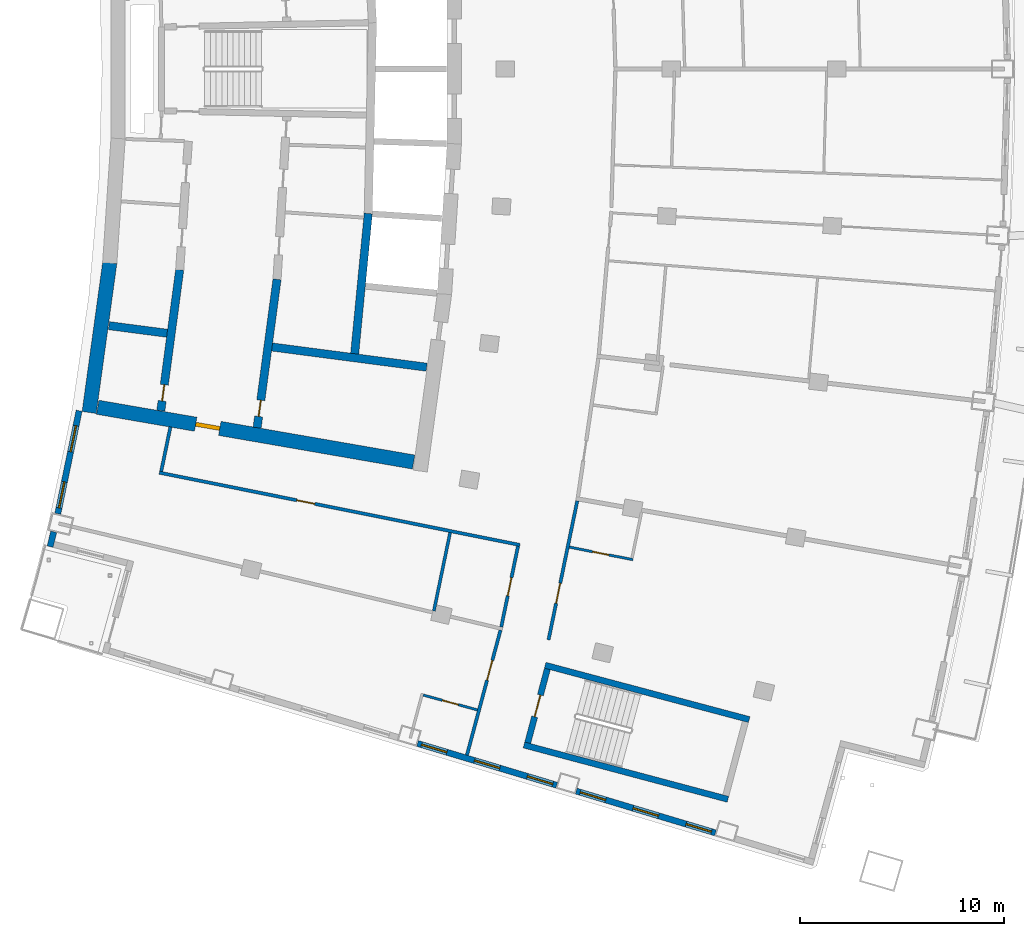
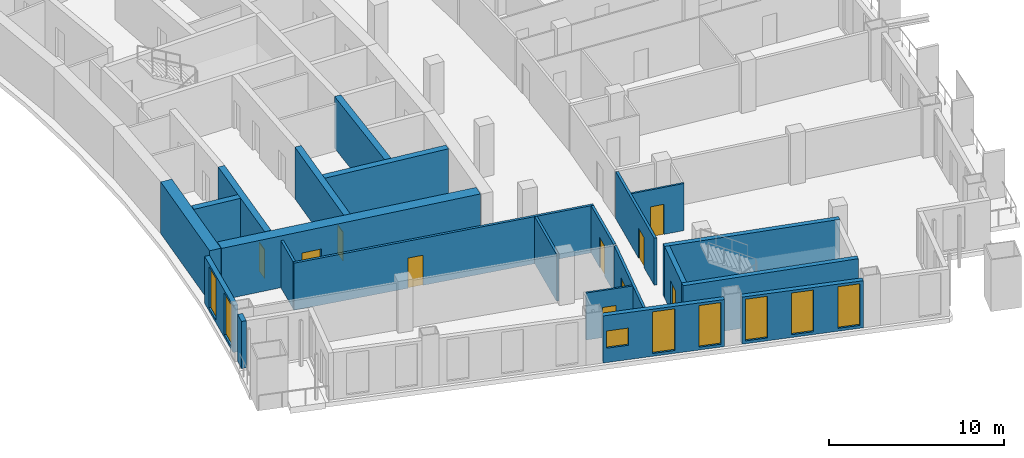
# One storey, part 11 of 20: 22 walls, 10 doors, 8 windows, 18 openings.
"""IFC4 building model written with IfcOpenShell, lengths in metres."""

import ifcopenshell
import ifcopenshell.guid

model = None  # the IFC model being written
_history = None  # IfcOwnerHistory: only IFC2X3 demands one
_inside = {}  # id of a spatial element -> (the spatial element, [elements in it])
_under = {}  # id of a project, library or spatial element -> (it, [spatial elements below it])
_declared = {}  # id of a project -> (the project, [libraries it declares])
_typed = {}  # id of a type object -> (the type object, [elements of that type])
_made_of = {}  # id of a material, layer set ... -> (it, [elements and type objects made of it])


def new_model(schema):
    """Start an empty IFC model of exactly this schema.

    Asked for "IFC4X3", IfcOpenShell would pick the latest addendum, in which some entities
    have other attributes; the version numbers below select the first issue.
    IFC2X3 requires an IfcOwnerHistory on every rooted entity: one is made here for all.
    """
    global model, _history
    if schema == "IFC4X3":
        model = ifcopenshell.file(schema_version=(4, 3, 0, 0))
    else:
        model = ifcopenshell.file(schema=schema)
    _inside.clear()
    _under.clear()
    _declared.clear()
    _typed.clear()
    _made_of.clear()
    _history = None
    if model.schema == "IFC2X3":
        org = make("IfcOrganization", Name="unknown")
        user = make(
            "IfcPersonAndOrganization",
            ThePerson=make("IfcPerson", FamilyName="unknown"),
            TheOrganization=org,
        )
        app = make(
            "IfcApplication",
            ApplicationDeveloper=org,
            Version="unknown",
            ApplicationFullName="unknown",
            ApplicationIdentifier="unknown",
        )
        _history = make(
            "IfcOwnerHistory",
            OwningUser=user,
            OwningApplication=app,
            ChangeAction="ADDED",
            CreationDate=0,
        )
    return model


def make(cls, **values):
    """One entity of the class cls with the attributes given. An attribute that is None is left unset."""
    return model.create_entity(
        cls, **{name: value for name, value in values.items() if value is not None}
    )


def rooted(cls, **values):
    """An entity with a GlobalId (a new one), such as an element, a storey or a relation."""
    return make(cls, GlobalId=ifcopenshell.guid.new(), OwnerHistory=_history, **values)


def si_unit(unit_type, name, prefix=None):
    """IfcSIUnit, for example si_unit("LENGTHUNIT", "METRE", prefix="MILLI")."""
    return make("IfcSIUnit", UnitType=unit_type, Prefix=prefix, Name=name)


def assignment(units):
    """IfcUnitAssignment: the units of a project."""
    return None if units is None else make("IfcUnitAssignment", Units=units)


def point(xyz):
    """IfcCartesianPoint."""
    return None if xyz is None else make("IfcCartesianPoint", Coordinates=xyz)


def direction(xyz):
    """IfcDirection."""
    return None if xyz is None else make("IfcDirection", DirectionRatios=xyz)


def frame(location, z_axis=None, x_axis=None):
    """IfcAxis2Placement3D, a coordinate frame: its origin and axes. An axis left out is left unset."""
    return make(
        "IfcAxis2Placement3D",
        Location=point(location),
        Axis=direction(z_axis),
        RefDirection=direction(x_axis),
    )


def frame_2d(location, x_axis=None):
    """IfcAxis2Placement2D, a coordinate frame in the plane: its origin and x axis."""
    return make(
        "IfcAxis2Placement2D", Location=point(location), RefDirection=direction(x_axis)
    )


def origin():
    """The frame at (0, 0, 0) with its axes left unset."""
    return frame((0.0, 0.0, 0.0))


def place(relative_to, where):
    """IfcLocalPlacement: puts the frame where relative to a parent placement (None: the world)."""
    return make(
        "IfcLocalPlacement", PlacementRelTo=relative_to, RelativePlacement=where
    )


def context(
    kind, dimensions, precision=None, world=None, true_north=None, identifier=None
):
    """IfcGeometricRepresentationContext, for example the 3D "Model" context."""
    return make(
        "IfcGeometricRepresentationContext",
        ContextIdentifier=identifier,
        ContextType=kind,
        CoordinateSpaceDimension=dimensions,
        Precision=precision,
        WorldCoordinateSystem=world,
        TrueNorth=true_north,
    )


def subcontext(parent, identifier, kind, view, scale=None):
    """IfcGeometricRepresentationSubContext, for example "Body" below "Model"."""
    return make(
        "IfcGeometricRepresentationSubContext",
        ContextIdentifier=identifier,
        ContextType=kind,
        ParentContext=parent,
        TargetScale=scale,
        TargetView=view,
    )


def project(units=None, contexts=None):
    """IfcProject with its units and contexts."""
    return rooted(
        "IfcProject",
        Name="project",
        RepresentationContexts=contexts,
        UnitsInContext=assignment(units),
    )


def spatial(cls, under=None, at=None, **own):
    """A site, building, storey or space (cls), placed at a placement, below another one or the project."""
    s = rooted(cls, ObjectPlacement=at, **own)
    if under is not None:
        _under.setdefault(under.id(), (under, []))[1].append(s)
    return s


def profile(cls, at=None, kind="AREA", **sizes):
    """A parametric profile (cls). Its sizes go by their IFC names, for example OverallWidth=200.0."""
    return make(cls, ProfileType=kind, Position=at, **sizes)


def rectangle(**sizes):
    """IfcRectangleProfileDef."""
    return profile("IfcRectangleProfileDef", **sizes)


def extrude(swept, where, along, depth):
    """IfcExtrudedAreaSolid: the profile swept, set in the frame where, extruded along a direction by depth."""
    return make(
        "IfcExtrudedAreaSolid",
        SweptArea=swept,
        Position=where,
        ExtrudedDirection=direction(along),
        Depth=depth,
    )


def shape(context_of_items, identifier, shape_type, items):
    """IfcShapeRepresentation: the items that make up one representation, for example the "Body"."""
    return make(
        "IfcShapeRepresentation",
        ContextOfItems=context_of_items,
        RepresentationIdentifier=identifier,
        RepresentationType=shape_type,
        Items=items,
    )


def material(Name=None, Category=None):
    """IfcMaterial."""
    return make("IfcMaterial", Name=Name, Category=Category)


def layer(
    of_material, thickness, ventilated=None, Name=None, Category=None, Priority=None
):
    """IfcMaterialLayer: one layer of a wall or slab, of a material (None: an air gap)."""
    return make(
        "IfcMaterialLayer",
        Material=of_material,
        LayerThickness=thickness,
        IsVentilated=ventilated,
        Name=Name,
        Category=Category,
        Priority=Priority,
    )


def layer_set(layers, Name=None):
    """IfcMaterialLayerSet."""
    return make("IfcMaterialLayerSet", MaterialLayers=layers, LayerSetName=Name)


def made_of(thing, what):
    """Note that an element or type object is made of a material, layer set ...; save() writes the relation."""
    if what is not None:
        _made_of.setdefault(what.id(), (what, []))[1].append(thing)
    return thing


def type_object(cls, material=None, **own):
    """A type object (cls), such as IfcWallType, which elements share."""
    return made_of(rooted(cls, **own), material)


def element(
    cls,
    number,
    at=None,
    inside=None,
    cuts=None,
    type_object=None,
    material=None,
    context=None,
    identifier="Body",
    shape_type=None,
    held_by="IfcProductDefinitionShape",
    body=None,
    shapes=None,
    **own,
):
    """One element of the class cls, such as IfcWall. Its Tag is "e" and its number.

    at: its placement. inside: the storey or other place that contains it. cuts: it is an
    opening in that element (IfcRelVoidsElement). A single representation is given by context,
    identifier, shape_type and body (its items); several are given by shapes. held_by: the class
    of the entity that holds the representations. save() writes the other relations.
    """
    e = rooted(cls, Tag="e%d" % number, ObjectPlacement=at, **own)
    if body is not None:
        shapes = [shape(context, identifier, shape_type, body)]
    if shapes is not None:
        e.Representation = make(held_by, Representations=shapes)
    if inside is not None:
        _inside.setdefault(inside.id(), (inside, []))[1].append(e)
    if cuts is not None:
        rooted(
            "IfcRelVoidsElement", RelatingBuildingElement=cuts, RelatedOpeningElement=e
        )
    if type_object is not None:
        _typed.setdefault(type_object.id(), (type_object, []))[1].append(e)
    return made_of(e, material)


def fill(opening, filler):
    """IfcRelFillsElement: the door or window that sits in an opening."""
    return rooted(
        "IfcRelFillsElement",
        RelatingOpeningElement=opening,
        RelatedBuildingElement=filler,
    )


def aggregate(whole, parts):
    """IfcRelAggregates: a whole, such as a stair, and the parts it consists of."""
    return rooted("IfcRelAggregates", RelatingObject=whole, RelatedObjects=parts)


def save(model, path):
    """Write the relations noted so far, then the file.

    IfcRelAggregates (storeys below a building ...), IfcRelContainedInSpatialStructure (elements
    in a storey), IfcRelDefinesByType, IfcRelAssociatesMaterial and IfcRelDeclares: one each for
    every whole, place, type object, material and project.
    """
    for whole, parts in _under.values():
        aggregate(whole, parts)
    for where, things in _inside.values():
        rooted(
            "IfcRelContainedInSpatialStructure",
            RelatedElements=things,
            RelatingStructure=where,
        )
    for kind, things in _typed.values():
        rooted("IfcRelDefinesByType", RelatedObjects=things, RelatingType=kind)
    for what, things in _made_of.values():
        rooted("IfcRelAssociatesMaterial", RelatedObjects=things, RelatingMaterial=what)
    for by, libraries in _declared.values():
        rooted("IfcRelDeclares", RelatingContext=by, RelatedDefinitions=libraries)
    model.write(path)


model = new_model("IFC4")

# Units and contexts
model_context = context("Model", 3, precision=1e-05, world=origin(), true_north=direction((0.0, 1.0)))
body_context = subcontext(model_context, "Body", "Model", "MODEL_VIEW")
ifc_project = project(units=[si_unit("LENGTHUNIT", "METRE"), si_unit("AREAUNIT", "SQUARE_METRE"), si_unit("VOLUMEUNIT", "CUBIC_METRE"), si_unit("PLANEANGLEUNIT", "RADIAN"), si_unit("MASSUNIT", "GRAM", prefix="KILO")], contexts=[model_context])

# Site, building, storey
site_placement = place(None, origin())
site = spatial("IfcSite", under=ifc_project, at=site_placement, CompositionType="ELEMENT")
building_placement = place(site_placement, origin())
building = spatial("IfcBuilding", under=site, at=building_placement, Name="Alderwake Tower", CompositionType="ELEMENT")
storey_placement = place(building_placement, frame((0.0, 0.0, 142.39990234375)))
storey = spatial("IfcBuildingStorey", under=building, at=storey_placement, Name="L34", CompositionType="ELEMENT", Elevation=142.39990234375)

# Wall
ifc_material_1 = material(Name="Concrete C70/85", Category="concrete")
ifc_layer_1 = layer(ifc_material_1, 0.699951171875)
ifc_layer_set_1 = layer_set([ifc_layer_1], Name="Core wall outer 700 C70-85")
wall_type_1 = type_object("IfcWallType", Name="Core wall outer 700 C70-85", PredefinedType="SHEAR", material=ifc_layer_set_1)
wall_1_placement = place(storey_placement, frame((15.370849609375, 44.1376953125, 0.0), z_axis=(0.0, 0.0, 1.0), x_axis=(0.136315619812, 0.99066545907, 0.0)))
element("IfcWall", 1, at=wall_1_placement, inside=storey, type_object=wall_type_1, Name="Core wall CW.042", PredefinedType="SHEAR", context=body_context, shape_type="SweptSolid", body=[
    extrude(rectangle(XDim=7.420166015625, YDim=0.699951171875, at=frame_2d((3.7099609375, 0.0))), origin(), (0.0, 0.0, 1.0), 3.60009765625),
])

# Wall, opening, door
wall_2_placement = place(storey_placement, frame((31.295654296875, 41.705810546875, 0.0), z_axis=(0.0, 0.0, 1.0), x_axis=(-0.985302589944, 0.170818050129, 0.0)))
wall_2 = element("IfcWall", 2, at=wall_2_placement, inside=storey, type_object=wall_type_1, Name="Core wall CW.072", PredefinedType="SHEAR", context=body_context, shape_type="SweptSolid", body=[
    extrude(rectangle(XDim=15.7373046875, YDim=0.699951171875, at=frame_2d((7.86865234375, 0.0))), origin(), (0.0, 0.0, 1.0), 3.60009765625),
])
opening_1_placement = place(wall_2_placement, frame((9.65576171875, 0.0, 0.0)))
opening_1 = element("IfcOpeningElement", 3, at=opening_1_placement, cuts=wall_2, Name="Opening C003", PredefinedType="OPENING", context=body_context, shape_type="SweptSolid", body=[
    extrude(rectangle(XDim=1.199951171875, YDim=2.10009765625, at=frame_2d((0.60009765625, 1.050048828125))), frame((0.0, 0.35986328125, 0.0), z_axis=(0.0, -1.0, 0.0), x_axis=(1.0, 0.0, 0.0)), (0.0, 0.0, 1.0), 0.719970703125),
])
ifc_material_2 = material(Name="Steel-framed fire door leaf", Category="steel")
door_type_1 = type_object("IfcDoorType", Name="Core lobby exit door 1200 fire-rated", OperationType="SINGLE_SWING_LEFT", PredefinedType="DOOR", material=ifc_material_2)
door_1_placement = place(opening_1_placement, origin())
door_1 = element("IfcDoor", 4, at=door_1_placement, inside=storey, type_object=door_type_1, Name="Lobby door", OperationType="SINGLE_SWING_LEFT", OverallHeight=2.10009765625, OverallWidth=1.199951171875, PredefinedType="DOOR", context=body_context, shape_type="SweptSolid", body=[
    extrude(rectangle(XDim=1.199951171875, YDim=2.10009765625, at=frame_2d((0.60009765625, 1.050048828125))), frame((0.0, 0.10009765625, 0.0), z_axis=(0.0, -1.0, 0.0), x_axis=(1.0, 0.0, 0.0)), (0.0, 0.0, 1.0), 0.199951171875),
])
fill(opening_1, door_1)

ifc_material_3 = material(Name="Concrete C70/85", Category="concrete")
ifc_layer_2 = layer(ifc_material_3, 0.39990234375)
ifc_layer_set_2 = layer_set([ifc_layer_2], Name="Core wall spine 400 C70-85")
wall_type_2 = type_object("IfcWallType", Name="Core wall spine 400 C70-85", PredefinedType="SHEAR", material=ifc_layer_set_2)
wall_3_placement = place(storey_placement, frame((19.814697265625, 51.143798828125, 0.0), z_axis=(0.0, 0.0, 1.0), x_axis=(-0.132864871698, -0.991134161387, 0.0)))
wall_3 = element("IfcWall", 5, at=wall_3_placement, inside=storey, type_object=wall_type_2, Name="Core wall CW.033", PredefinedType="SHEAR", context=body_context, shape_type="SweptSolid", body=[
    extrude(rectangle(XDim=6.978759765625, YDim=0.39990234375, at=frame_2d((3.4892578125, 0.0))), origin(), (0.0, 0.0, 1.0), 3.60009765625),
])
opening_2_placement = place(wall_3_placement, frame((5.69677734375, 0.0, 0.0)))
opening_2 = element("IfcOpeningElement", 6, at=opening_2_placement, cuts=wall_3, Name="Opening C007", PredefinedType="OPENING", context=body_context, shape_type="SweptSolid", body=[
    extrude(rectangle(XDim=0.800048828125, YDim=2.0, at=frame_2d((0.39990234375, 1.0))), frame((0.0, 0.2099609375, 0.0), z_axis=(0.0, -1.0, 0.0), x_axis=(1.0, 0.0, 0.0)), (0.0, 0.0, 1.0), 0.419921875),
])
ifc_material_4 = material(Name="Painted steel leaf, rated", Category="steel")
door_type_2 = type_object("IfcDoorType", Name="Riser access door 800", OperationType="SINGLE_SWING_LEFT", PredefinedType="DOOR", material=ifc_material_4)
door_2_placement = place(opening_2_placement, origin())
door_2 = element("IfcDoor", 7, at=door_2_placement, inside=storey, type_object=door_type_2, Name="Riser access door", OperationType="SINGLE_SWING_LEFT", OverallHeight=2.0, OverallWidth=0.800048828125, PredefinedType="DOOR", context=body_context, shape_type="SweptSolid", body=[
    extrude(rectangle(XDim=0.800048828125, YDim=2.0, at=frame_2d((0.39990234375, 1.0))), frame((0.0, 0.02490234375, 0.0), z_axis=(0.0, -1.0, 0.0), x_axis=(1.0, 0.0, 0.0)), (0.0, 0.0, 1.0), 0.050048828125),
])
fill(opening_2, door_2)

wall_4_placement = place(storey_placement, frame((23.6142578125, 43.390869140625, 0.0), z_axis=(0.0, 0.0, 1.0), x_axis=(0.133023466616, 0.991112888287, 0.0)))
wall_4 = element("IfcWall", 8, at=wall_4_placement, inside=storey, type_object=wall_type_2, Name="Core wall CW.047", PredefinedType="SHEAR", context=body_context, shape_type="SweptSolid", body=[
    extrude(rectangle(XDim=7.3466796875, YDim=0.39990234375, at=frame_2d((3.67333984375, 0.0))), origin(), (0.0, 0.0, 1.0), 3.60009765625),
])
opening_3_placement = place(wall_4_placement, frame((0.557861328125, 0.0, 0.0)))
opening_3 = element("IfcOpeningElement", 9, at=opening_3_placement, cuts=wall_4, Name="Opening C014", PredefinedType="OPENING", context=body_context, shape_type="SweptSolid", body=[
    extrude(rectangle(XDim=0.800048828125, YDim=2.0, at=frame_2d((0.39990234375, 1.0))), frame((0.0, 0.2099609375, 0.0), z_axis=(0.0, -1.0, 0.0), x_axis=(1.0, 0.0, 0.0)), (0.0, 0.0, 1.0), 0.419921875),
])
door_3_placement = place(opening_3_placement, origin())
door_3 = element("IfcDoor", 10, at=door_3_placement, inside=storey, type_object=door_type_2, Name="Riser access door", OperationType="SINGLE_SWING_RIGHT", OverallHeight=2.0, OverallWidth=0.800048828125, PredefinedType="DOOR", context=body_context, shape_type="SweptSolid", body=[
    extrude(rectangle(XDim=0.800048828125, YDim=2.0, at=frame_2d((0.39990234375, 1.0))), frame((0.0, 0.02490234375, 0.0), z_axis=(0.0, -1.0, 0.0), x_axis=(1.0, 0.0, 0.0)), (0.0, 0.0, 1.0), 0.050048828125),
])
fill(opening_3, door_3)

# Walls
wall_5_placement = place(storey_placement, frame((28.402587890625, 47.0234375, 0.0), z_axis=(0.0, 0.0, 1.0), x_axis=(0.096500230077, 0.995332962177, 0.0)))
element("IfcWall", 11, at=wall_5_placement, inside=storey, type_object=wall_type_2, Name="Core wall CW.005", PredefinedType="SHEAR", context=body_context, shape_type="SweptSolid", body=[
    extrude(rectangle(XDim=6.914306640625, YDim=0.39990234375, at=frame_2d((3.45703125, 0.0))), origin(), (0.0, 0.0, 1.0), 3.60009765625),
])
wall_6_placement = place(storey_placement, frame((16.3408203125, 48.3994140625, 0.0), z_axis=(0.0, 0.0, 1.0), x_axis=(0.991544987266, -0.129763393253, 0.0)))
element("IfcWall", 12, at=wall_6_placement, inside=storey, type_object=wall_type_2, Name="Core wall CW.067", PredefinedType="SHEAR", context=body_context, shape_type="SweptSolid", body=[
    extrude(rectangle(XDim=2.878662109375, YDim=0.39990234375, at=frame_2d((1.439453125, 0.0))), origin(), (0.0, 0.0, 1.0), 3.60009765625),
])
wall_7_placement = place(storey_placement, frame((24.347900390625, 47.35205078125, 0.0), z_axis=(0.0, 0.0, 1.0), x_axis=(0.991554795689, -0.129688423329, 0.0)))
element("IfcWall", 13, at=wall_7_placement, inside=storey, type_object=wall_type_2, Name="Core wall CW.069", PredefinedType="SHEAR", context=body_context, shape_type="SweptSolid", body=[
    extrude(rectangle(XDim=7.650634765625, YDim=0.39990234375, at=frame_2d((3.8251953125, 0.0))), origin(), (0.0, 0.0, 1.0), 3.60009765625),
])
ifc_material_5 = material(Name="Concrete C70/85", Category="concrete")
ifc_layer_3 = layer(ifc_material_5, 0.300048828125)
ifc_layer_set_3 = layer_set([ifc_layer_3], Name="Core wall stair enclosure 300 C70-85")
wall_type_3 = type_object("IfcWallType", Name="Core wall stair enclosure 300 C70-85", PredefinedType="SHEAR", material=ifc_layer_set_3)
for number, where, z_axis, x_axis, name in (
    (14, (37.75390625, 31.731201171875, 0.0), (0.0, 0.0, 1.0), (0.966309214305, -0.257383958996, 0.0), "Core wall CW.086"),
    (15, (36.71142578125, 27.817626953125, 0.0), (0.0, 0.0, 1.0), (0.966309214305, -0.257383958996, 0.0), "Core wall CW.088"),
):
    element("IfcWall", number, at=place(storey_placement, frame(where, z_axis=z_axis, x_axis=x_axis)), inside=storey, type_object=wall_type_3, Name=name, PredefinedType="SHEAR", context=body_context, shape_type="SweptSolid", body=[
        extrude(rectangle(XDim=10.360107421875, YDim=0.300048828125, at=frame_2d((5.18017578125, 0.0))), origin(), (0.0, 0.0, 1.0), 3.60009765625),
    ])

# Wall, opening, door
wall_8_placement = place(storey_placement, frame((36.89501953125, 27.923828125, 0.0), z_axis=(0.0, 0.0, 1.0), x_axis=(0.257350630826, 0.966318090907, 0.0)))
wall_8 = element("IfcWall", 16, at=wall_8_placement, inside=storey, type_object=wall_type_3, Name="Core wall CW.087", PredefinedType="SHEAR", context=body_context, shape_type="SweptSolid", body=[
    extrude(rectangle(XDim=3.75, YDim=0.300048828125, at=frame_2d((1.875, 0.0))), origin(), (0.0, 0.0, 1.0), 3.60009765625),
])
opening_4_placement = place(wall_8_placement, frame((1.324951171875, 0.0, 0.0)))
opening_4 = element("IfcOpeningElement", 17, at=opening_4_placement, cuts=wall_8, Name="Opening C065", PredefinedType="OPENING", context=body_context, shape_type="SweptSolid", body=[
    extrude(rectangle(XDim=1.10009765625, YDim=2.10009765625, at=frame_2d((0.550048828125, 1.050048828125))), frame((0.0, 0.159912109375, 0.0), z_axis=(0.0, -1.0, 0.0), x_axis=(1.0, 0.0, 0.0)), (0.0, 0.0, 1.0), 0.320068359375),
])
ifc_material_6 = material(Name="Steel-framed fire door leaf", Category="steel")
door_type_3 = type_object("IfcDoorType", Name="Core stair door 1100 fire-rated", OperationType="SINGLE_SWING_LEFT", PredefinedType="DOOR", material=ifc_material_6)
door_4_placement = place(opening_4_placement, origin())
door_4 = element("IfcDoor", 18, at=door_4_placement, inside=storey, type_object=door_type_3, Name="Stair door", OperationType="SINGLE_SWING_LEFT", OverallHeight=2.10009765625, OverallWidth=1.10009765625, PredefinedType="DOOR", context=body_context, shape_type="SweptSolid", body=[
    extrude(rectangle(XDim=1.10009765625, YDim=2.10009765625, at=frame_2d((0.550048828125, 1.050048828125))), frame((0.0, 0.02490234375, 0.0), z_axis=(0.0, -1.0, 0.0), x_axis=(1.0, 0.0, 0.0)), (0.0, 0.0, 1.0), 0.050048828125),
])
fill(opening_4, door_4)

ifc_material_7 = material(Name="Gypsum board on metal studs, rated")
ifc_layer_4 = layer(ifc_material_7, 0.159912109375)
ifc_layer_set_4 = layer_set([ifc_layer_4], Name="Corridor wall 160")
wall_type_4 = type_object("IfcWallType", Name="Corridor wall 160", PredefinedType="PARTITIONING", material=ifc_layer_set_4)
wall_9_placement = place(storey_placement, frame((36.513427734375, 37.63427734375, 0.0), z_axis=(0.0, 0.0, 1.0), x_axis=(-0.980470254867, 0.1966674333, 0.0)))
wall_9 = element("IfcWall", 19, at=wall_9_placement, inside=storey, type_object=wall_type_4, Name="WL/L34/W12", PredefinedType="PARTITIONING", context=body_context, shape_type="SweptSolid", body=[
    extrude(rectangle(XDim=18.053466796875, YDim=0.159912109375, at=frame_2d((9.02685546875, 0.0))), origin(), (0.0, 0.0, 1.0), 3.280029296875),
])
opening_5_placement = place(wall_9_placement, frame((10.277099609375, 0.0, 0.0)))
opening_5 = element("IfcOpeningElement", 20, at=opening_5_placement, cuts=wall_9, Name="Opening R09-SBS1", PredefinedType="OPENING", context=body_context, shape_type="SweptSolid", body=[
    extrude(rectangle(XDim=0.89990234375, YDim=2.10009765625, at=frame_2d((0.449951171875, 1.050048828125))), frame((0.0, 0.08984375, 0.0), z_axis=(0.0, -1.0, 0.0), x_axis=(1.0, 0.0, 0.0)), (0.0, 0.0, 1.0), 0.179931640625),
])
ifc_material_8 = material(Name="Painted timber leaf", Category="wood")
door_type_4 = type_object("IfcDoorType", Name="Room door 900", OperationType="SINGLE_SWING_LEFT", PredefinedType="DOOR", material=ifc_material_8)
door_5_placement = place(opening_5_placement, origin())
door_5 = element("IfcDoor", 21, at=door_5_placement, inside=storey, type_object=door_type_4, Name="DR/L34/SBS1", OperationType="SINGLE_SWING_LEFT", OverallHeight=2.10009765625, OverallWidth=0.89990234375, PredefinedType="DOOR", context=body_context, shape_type="SweptSolid", body=[
    extrude(rectangle(XDim=0.89990234375, YDim=2.10009765625, at=frame_2d((0.449951171875, 1.050048828125))), frame((0.0, 0.02490234375, 0.0), z_axis=(0.0, -1.0, 0.0), x_axis=(1.0, 0.0, 0.0)), (0.0, 0.0, 1.0), 0.050048828125),
])
fill(opening_5, door_5)

# Wall
wall_10_placement = place(storey_placement, frame((19.35888671875, 43.430908203125, 0.0), z_axis=(0.0, 0.0, 1.0), x_axis=(-0.202554916658, -0.979270905183, 0.0)))
element("IfcWall", 22, at=wall_10_placement, inside=storey, type_object=wall_type_4, Name="WL/L34/W13", PredefinedType="PARTITIONING", context=body_context, shape_type="SweptSolid", body=[
    extrude(rectangle(XDim=2.229736328125, YDim=0.159912109375, at=frame_2d((1.11474609375, 0.0))), origin(), (0.0, 0.0, 1.0), 3.280029296875),
])

# Wall, opening, door
wall_11_placement = place(storey_placement, frame((33.912109375, 27.321044921875, 0.0), z_axis=(0.0, 0.0, 1.0), x_axis=(0.259370874835, 0.965777794986, 0.0)))
wall_11 = element("IfcWall", 23, at=wall_11_placement, inside=storey, type_object=wall_type_4, Name="WL/L34/W16", PredefinedType="PARTITIONING", context=body_context, shape_type="SweptSolid", body=[
    extrude(rectangle(XDim=6.349853515625, YDim=0.159912109375, at=frame_2d((3.1748046875, 0.0))), origin(), (0.0, 0.0, 1.0), 3.280029296875),
])
opening_6_placement = place(wall_11_placement, frame((3.811279296875, 0.0, 0.0)))
opening_6 = element("IfcOpeningElement", 24, at=opening_6_placement, cuts=wall_11, Name="Opening R09-U08.1", PredefinedType="OPENING", context=body_context, shape_type="SweptSolid", body=[
    extrude(rectangle(XDim=1.0, YDim=2.10009765625, at=frame_2d((0.5, 1.050048828125))), frame((0.0, 0.08984375, 0.0), z_axis=(0.0, -1.0, 0.0), x_axis=(1.0, 0.0, 0.0)), (0.0, 0.0, 1.0), 0.179931640625),
])
ifc_material_9 = material(Name="Solid timber leaf in steel frame", Category="steel")
door_type_5 = type_object("IfcDoorType", Name="Flat entrance door 1000 fire-rated", OperationType="SINGLE_SWING_LEFT", PredefinedType="DOOR", material=ifc_material_9)
door_6_placement = place(opening_6_placement, origin())
door_6 = element("IfcDoor", 25, at=door_6_placement, inside=storey, type_object=door_type_5, Name="DR/L34/U08.1", OperationType="SINGLE_SWING_LEFT", OverallHeight=2.10009765625, OverallWidth=1.0, PredefinedType="DOOR", context=body_context, shape_type="SweptSolid", body=[
    extrude(rectangle(XDim=1.0, YDim=2.10009765625, at=frame_2d((0.5, 1.050048828125))), frame((0.0, 0.02490234375, 0.0), z_axis=(0.0, -1.0, 0.0), x_axis=(1.0, 0.0, 0.0)), (0.0, 0.0, 1.0), 0.050048828125),
])
fill(opening_6, door_6)

wall_12_placement = place(storey_placement, frame((35.59619140625, 33.609375, 0.0), z_axis=(0.0, 0.0, 1.0), x_axis=(0.203245920818, 0.979127721838, 0.0)))
wall_12 = element("IfcWall", 26, at=wall_12_placement, inside=storey, type_object=wall_type_4, Name="WL/L34/W19", PredefinedType="PARTITIONING", context=body_context, shape_type="SweptSolid", body=[
    extrude(rectangle(XDim=4.046875, YDim=0.159912109375, at=frame_2d((2.0234375, 0.0))), origin(), (0.0, 0.0, 1.0), 3.280029296875),
])
opening_7_placement = place(wall_12_placement, frame((1.573486328125, 0.0, 0.0)))
opening_7 = element("IfcOpeningElement", 27, at=opening_7_placement, cuts=wall_12, Name="Opening R09-SBS2", PredefinedType="OPENING", context=body_context, shape_type="SweptSolid", body=[
    extrude(rectangle(XDim=0.89990234375, YDim=2.10009765625, at=frame_2d((0.449951171875, 1.050048828125))), frame((0.0, 0.08984375, 0.0), z_axis=(0.0, -1.0, 0.0), x_axis=(1.0, 0.0, 0.0)), (0.0, 0.0, 1.0), 0.179931640625),
])
door_7_placement = place(opening_7_placement, origin())
door_7 = element("IfcDoor", 28, at=door_7_placement, inside=storey, type_object=door_type_4, Name="DR/L34/SBS2", OperationType="SINGLE_SWING_LEFT", OverallHeight=2.10009765625, OverallWidth=0.89990234375, PredefinedType="DOOR", context=body_context, shape_type="SweptSolid", body=[
    extrude(rectangle(XDim=0.89990234375, YDim=2.10009765625, at=frame_2d((0.449951171875, 1.050048828125))), frame((0.0, 0.02490234375, 0.0), z_axis=(0.0, -1.0, 0.0), x_axis=(1.0, 0.0, 0.0)), (0.0, 0.0, 1.0), 0.050048828125),
])
fill(opening_7, door_7)

wall_13_placement = place(storey_placement, frame((39.32763671875, 39.799072265625, 0.0), z_axis=(0.0, 0.0, 1.0), x_axis=(-0.202466556983, -0.979289177569, 0.0)))
wall_13 = element("IfcWall", 29, at=wall_13_placement, inside=storey, type_object=wall_type_4, Name="WL/L34/W21", PredefinedType="PARTITIONING", context=body_context, shape_type="SweptSolid", body=[
    extrude(rectangle(XDim=6.96728515625, YDim=0.159912109375, at=frame_2d((3.483642578125, 0.0))), origin(), (0.0, 0.0, 1.0), 3.280029296875),
])
opening_8_placement = place(wall_13_placement, frame((4.134765625, 0.0, 0.0)))
opening_8 = element("IfcOpeningElement", 30, at=opening_8_placement, cuts=wall_13, Name="Opening R09-U03.1", PredefinedType="OPENING", context=body_context, shape_type="SweptSolid", body=[
    extrude(rectangle(XDim=1.0, YDim=2.10009765625, at=frame_2d((0.5, 1.050048828125))), frame((0.0, 0.08984375, 0.0), z_axis=(0.0, -1.0, 0.0), x_axis=(1.0, 0.0, 0.0)), (0.0, 0.0, 1.0), 0.179931640625),
])
door_8_placement = place(opening_8_placement, origin())
door_8 = element("IfcDoor", 31, at=door_8_placement, inside=storey, type_object=door_type_5, Name="DR/L34/U03.1", OperationType="SINGLE_SWING_LEFT", OverallHeight=2.10009765625, OverallWidth=1.0, PredefinedType="DOOR", context=body_context, shape_type="SweptSolid", body=[
    extrude(rectangle(XDim=1.0, YDim=2.10009765625, at=frame_2d((0.5, 1.050048828125))), frame((0.0, 0.02490234375, 0.0), z_axis=(0.0, -1.0, 0.0), x_axis=(1.0, 0.0, 0.0)), (0.0, 0.0, 1.0), 0.050048828125),
])
fill(opening_8, door_8)

# Wall
ifc_material_10 = material(Name="Precast concrete C50/60 spandrel panel", Category="concrete")
ifc_layer_5 = layer(ifc_material_10, 0.300048828125)
ifc_layer_set_5 = layer_set([ifc_layer_5], Name="External wall EW1 Precast concrete C50/60 spandrel")
wall_type_5 = type_object("IfcWallType", Name="External wall EW1 Precast concrete C50/60 spandrel", PredefinedType="SOLIDWALL", material=ifc_layer_set_5)
wall_14_placement = place(storey_placement, frame((13.63134765625, 38.28271484375, 0.0), z_axis=(0.0, 0.0, 1.0), x_axis=(-0.238336947214, -0.971182526404, 0.0)))
element("IfcWall", 32, at=wall_14_placement, inside=storey, type_object=wall_type_5, Name="External wall 1", PredefinedType="SOLIDWALL", context=body_context, shape_type="SweptSolid", body=[
    extrude(rectangle(XDim=0.7529296875, YDim=0.300048828125, at=frame_2d((0.37646484375, 0.0))), origin(), (0.0, 0.0, 1.0), 3.280029296875),
])

# Wall, openings, windows
wall_15_placement = place(storey_placement, frame((14.878173828125, 44.223388671875, 0.0), z_axis=(0.0, 0.0, 1.0), x_axis=(-0.202754243564, -0.979229654737, 0.0)))
wall_15 = element("IfcWall", 33, at=wall_15_placement, inside=storey, type_object=wall_type_5, Name="External wall 32", PredefinedType="SOLIDWALL", context=body_context, shape_type="SweptSolid", body=[
    extrude(rectangle(XDim=5.15966796875, YDim=0.300048828125, at=frame_2d((2.579833984375, 0.0))), origin(), (0.0, 0.0, 1.0), 3.280029296875),
])
opening_9_placement = place(wall_15_placement, frame((0.75634765625, 0.0, 0.199951171875)))
opening_9 = element("IfcOpeningElement", 34, at=opening_9_placement, cuts=wall_15, Name="Opening W1", PredefinedType="OPENING", context=body_context, shape_type="SweptSolid", body=[
    extrude(rectangle(XDim=1.300048828125, YDim=2.89990234375, at=frame_2d((0.64990234375, 1.449951171875))), frame((0.0, 0.159912109375, 0.0), z_axis=(0.0, -1.0, 0.0), x_axis=(1.0, 0.0, 0.0)), (0.0, 0.0, 1.0), 0.320068359375),
])
opening_10_placement = place(wall_15_placement, frame((3.569091796875, 0.0, 0.199951171875)))
opening_10 = element("IfcOpeningElement", 35, at=opening_10_placement, cuts=wall_15, Name="Opening W1", PredefinedType="OPENING", context=body_context, shape_type="SweptSolid", body=[
    extrude(rectangle(XDim=1.300048828125, YDim=2.89990234375, at=frame_2d((0.64990234375, 1.449951171875))), frame((0.0, 0.159912109375, 0.0), z_axis=(0.0, -1.0, 0.0), x_axis=(1.0, 0.0, 0.0)), (0.0, 0.0, 1.0), 0.320068359375),
])
ifc_material_11 = material(Name="Bronze tinted glass in aluminium frame", Category="aluminium")
window_type_1 = type_object("IfcWindowType", Name="Window W1 tall fixed and vent", PartitioningType="DOUBLE_PANEL_VERTICAL", PredefinedType="WINDOW", material=ifc_material_11)
window_1_placement = place(opening_9_placement, origin())
window_1 = element("IfcWindow", 36, at=window_1_placement, inside=storey, type_object=window_type_1, Name="Window W1 tall fixed and vent", OverallHeight=2.89990234375, OverallWidth=1.300048828125, PartitioningType="DOUBLE_PANEL_VERTICAL", PredefinedType="WINDOW", context=body_context, shape_type="SweptSolid", body=[
    extrude(rectangle(XDim=1.300048828125, YDim=2.89990234375, at=frame_2d((0.64990234375, 1.449951171875))), frame((0.0, 0.030029296875, 0.0), z_axis=(0.0, -1.0, 0.0), x_axis=(1.0, 0.0, 0.0)), (0.0, 0.0, 1.0), 0.06005859375),
])
fill(opening_9, window_1)
window_2_placement = place(opening_10_placement, origin())
window_2 = element("IfcWindow", 37, at=window_2_placement, inside=storey, type_object=window_type_1, Name="Window W1 tall fixed and vent", OverallHeight=2.89990234375, OverallWidth=1.300048828125, PartitioningType="DOUBLE_PANEL_VERTICAL", PredefinedType="WINDOW", context=body_context, shape_type="SweptSolid", body=[
    extrude(rectangle(XDim=1.300048828125, YDim=2.89990234375, at=frame_2d((0.64990234375, 1.449951171875))), frame((0.0, 0.030029296875, 0.0), z_axis=(0.0, -1.0, 0.0), x_axis=(1.0, 0.0, 0.0)), (0.0, 0.0, 1.0), 0.06005859375),
])
fill(opening_10, window_2)

ifc_material_12 = material(Name="Bronze metal cladding on lightweight framing")
ifc_layer_6 = layer(ifc_material_12, 0.300048828125)
ifc_layer_set_6 = layer_set([ifc_layer_6], Name="External wall EW2 bronze metal cladding")
wall_type_6 = type_object("IfcWallType", Name="External wall EW2 bronze metal cladding", PredefinedType="SOLIDWALL", material=ifc_layer_set_6)
wall_16_placement = place(storey_placement, frame((31.4892578125, 27.89306640625, 0.0), z_axis=(0.0, 0.0, 1.0), x_axis=(0.957766887781, -0.287545802735, 0.0)))
wall_16 = element("IfcWall", 38, at=wall_16_placement, inside=storey, type_object=wall_type_6, Name="External wall 6", PredefinedType="SOLIDWALL", context=body_context, shape_type="SweptSolid", body=[
    extrude(rectangle(XDim=7.12939453125, YDim=0.300048828125, at=frame_2d((3.564697265625, 0.0))), origin(), (0.0, 0.0, 1.0), 3.280029296875),
])
opening_11_placement = place(wall_16_placement, frame((0.20361328125, 0.0, 1.0)))
opening_11 = element("IfcOpeningElement", 39, at=opening_11_placement, cuts=wall_16, Name="Opening W2", PredefinedType="OPENING", context=body_context, shape_type="SweptSolid", body=[
    extrude(rectangle(XDim=1.300048828125, YDim=1.199951171875, at=frame_2d((0.64990234375, 0.60009765625))), frame((0.0, 0.159912109375, 0.0), z_axis=(0.0, -1.0, 0.0), x_axis=(1.0, 0.0, 0.0)), (0.0, 0.0, 1.0), 0.320068359375),
])
opening_12_placement = place(wall_16_placement, frame((2.91455078125, 0.0, 0.199951171875)))
opening_12 = element("IfcOpeningElement", 40, at=opening_12_placement, cuts=wall_16, Name="Opening W1", PredefinedType="OPENING", context=body_context, shape_type="SweptSolid", body=[
    extrude(rectangle(XDim=1.300048828125, YDim=2.89990234375, at=frame_2d((0.64990234375, 1.449951171875))), frame((0.0, 0.159912109375, 0.0), z_axis=(0.0, -1.0, 0.0), x_axis=(1.0, 0.0, 0.0)), (0.0, 0.0, 1.0), 0.320068359375),
])
opening_13_placement = place(wall_16_placement, frame((5.625732421875, 0.0, 0.199951171875)))
opening_13 = element("IfcOpeningElement", 41, at=opening_13_placement, cuts=wall_16, Name="Opening W1", PredefinedType="OPENING", context=body_context, shape_type="SweptSolid", body=[
    extrude(rectangle(XDim=1.300048828125, YDim=2.89990234375, at=frame_2d((0.64990234375, 1.449951171875))), frame((0.0, 0.159912109375, 0.0), z_axis=(0.0, -1.0, 0.0), x_axis=(1.0, 0.0, 0.0)), (0.0, 0.0, 1.0), 0.320068359375),
])
window_3_placement = place(opening_12_placement, origin())
window_3 = element("IfcWindow", 42, at=window_3_placement, inside=storey, type_object=window_type_1, Name="Window W1 tall fixed and vent", OverallHeight=2.89990234375, OverallWidth=1.300048828125, PartitioningType="DOUBLE_PANEL_VERTICAL", PredefinedType="WINDOW", context=body_context, shape_type="SweptSolid", body=[
    extrude(rectangle(XDim=1.300048828125, YDim=2.89990234375, at=frame_2d((0.64990234375, 1.449951171875))), frame((0.0, 0.030029296875, 0.0), z_axis=(0.0, -1.0, 0.0), x_axis=(1.0, 0.0, 0.0)), (0.0, 0.0, 1.0), 0.06005859375),
])
fill(opening_12, window_3)
window_4_placement = place(opening_13_placement, origin())
window_4 = element("IfcWindow", 43, at=window_4_placement, inside=storey, type_object=window_type_1, Name="Window W1 tall fixed and vent", OverallHeight=2.89990234375, OverallWidth=1.300048828125, PartitioningType="DOUBLE_PANEL_VERTICAL", PredefinedType="WINDOW", context=body_context, shape_type="SweptSolid", body=[
    extrude(rectangle(XDim=1.300048828125, YDim=2.89990234375, at=frame_2d((0.64990234375, 1.449951171875))), frame((0.0, 0.030029296875, 0.0), z_axis=(0.0, -1.0, 0.0), x_axis=(1.0, 0.0, 0.0)), (0.0, 0.0, 1.0), 0.06005859375),
])
fill(opening_13, window_4)
ifc_material_13 = material(Name="Bronze tinted glass in aluminium frame", Category="aluminium")
window_type_2 = type_object("IfcWindowType", Name="Window W2 kitchen and bath", PartitioningType="SINGLE_PANEL", PredefinedType="WINDOW", material=ifc_material_13)
window_5_placement = place(opening_11_placement, origin())
window_5 = element("IfcWindow", 44, at=window_5_placement, inside=storey, type_object=window_type_2, Name="Window W2 kitchen and bath", OverallHeight=1.199951171875, OverallWidth=1.300048828125, PartitioningType="SINGLE_PANEL", PredefinedType="WINDOW", context=body_context, shape_type="SweptSolid", body=[
    extrude(rectangle(XDim=1.300048828125, YDim=1.199951171875, at=frame_2d((0.64990234375, 0.60009765625))), frame((0.0, 0.030029296875, 0.0), z_axis=(0.0, -1.0, 0.0), x_axis=(1.0, 0.0, 0.0)), (0.0, 0.0, 1.0), 0.06005859375),
])
fill(opening_11, window_5)

wall_17_placement = place(storey_placement, frame((39.279052734375, 25.554443359375, 0.0), z_axis=(0.0, 0.0, 1.0), x_axis=(0.957760288356, -0.287567783397, 0.0)))
wall_17 = element("IfcWall", 45, at=wall_17_placement, inside=storey, type_object=wall_type_6, Name="External wall 7", PredefinedType="SOLIDWALL", context=body_context, shape_type="SweptSolid", body=[
    extrude(rectangle(XDim=7.1298828125, YDim=0.300048828125, at=frame_2d((3.56494140625, 0.0))), origin(), (0.0, 0.0, 1.0), 3.280029296875),
])
opening_14_placement = place(wall_17_placement, frame((0.20361328125, 0.0, 0.199951171875)))
opening_14 = element("IfcOpeningElement", 46, at=opening_14_placement, cuts=wall_17, Name="Opening W1", PredefinedType="OPENING", context=body_context, shape_type="SweptSolid", body=[
    extrude(rectangle(XDim=1.300048828125, YDim=2.89990234375, at=frame_2d((0.64990234375, 1.449951171875))), frame((0.0, 0.159912109375, 0.0), z_axis=(0.0, -1.0, 0.0), x_axis=(1.0, 0.0, 0.0)), (0.0, 0.0, 1.0), 0.320068359375),
])
opening_15_placement = place(wall_17_placement, frame((2.914794921875, 0.0, 0.199951171875)))
opening_15 = element("IfcOpeningElement", 47, at=opening_15_placement, cuts=wall_17, Name="Opening W1", PredefinedType="OPENING", context=body_context, shape_type="SweptSolid", body=[
    extrude(rectangle(XDim=1.300048828125, YDim=2.89990234375, at=frame_2d((0.64990234375, 1.449951171875))), frame((0.0, 0.159912109375, 0.0), z_axis=(0.0, -1.0, 0.0), x_axis=(1.0, 0.0, 0.0)), (0.0, 0.0, 1.0), 0.320068359375),
])
opening_16_placement = place(wall_17_placement, frame((5.6259765625, 0.0, 0.199951171875)))
opening_16 = element("IfcOpeningElement", 48, at=opening_16_placement, cuts=wall_17, Name="Opening W1", PredefinedType="OPENING", context=body_context, shape_type="SweptSolid", body=[
    extrude(rectangle(XDim=1.300048828125, YDim=2.89990234375, at=frame_2d((0.64990234375, 1.449951171875))), frame((0.0, 0.159912109375, 0.0), z_axis=(0.0, -1.0, 0.0), x_axis=(1.0, 0.0, 0.0)), (0.0, 0.0, 1.0), 0.320068359375),
])
window_6_placement = place(opening_14_placement, origin())
window_6 = element("IfcWindow", 49, at=window_6_placement, inside=storey, type_object=window_type_1, Name="Window W1 tall fixed and vent", OverallHeight=2.89990234375, OverallWidth=1.300048828125, PartitioningType="DOUBLE_PANEL_VERTICAL", PredefinedType="WINDOW", context=body_context, shape_type="SweptSolid", body=[
    extrude(rectangle(XDim=1.300048828125, YDim=2.89990234375, at=frame_2d((0.64990234375, 1.449951171875))), frame((0.0, 0.030029296875, 0.0), z_axis=(0.0, -1.0, 0.0), x_axis=(1.0, 0.0, 0.0)), (0.0, 0.0, 1.0), 0.06005859375),
])
fill(opening_14, window_6)
window_7_placement = place(opening_15_placement, origin())
window_7 = element("IfcWindow", 50, at=window_7_placement, inside=storey, type_object=window_type_1, Name="Window W1 tall fixed and vent", OverallHeight=2.89990234375, OverallWidth=1.300048828125, PartitioningType="DOUBLE_PANEL_VERTICAL", PredefinedType="WINDOW", context=body_context, shape_type="SweptSolid", body=[
    extrude(rectangle(XDim=1.300048828125, YDim=2.89990234375, at=frame_2d((0.64990234375, 1.449951171875))), frame((0.0, 0.030029296875, 0.0), z_axis=(0.0, -1.0, 0.0), x_axis=(1.0, 0.0, 0.0)), (0.0, 0.0, 1.0), 0.06005859375),
])
fill(opening_15, window_7)
window_8_placement = place(opening_16_placement, origin())
window_8 = element("IfcWindow", 51, at=window_8_placement, inside=storey, type_object=window_type_1, Name="Window W1 tall fixed and vent", OverallHeight=2.89990234375, OverallWidth=1.300048828125, PartitioningType="DOUBLE_PANEL_VERTICAL", PredefinedType="WINDOW", context=body_context, shape_type="SweptSolid", body=[
    extrude(rectangle(XDim=1.300048828125, YDim=2.89990234375, at=frame_2d((0.64990234375, 1.449951171875))), frame((0.0, 0.030029296875, 0.0), z_axis=(0.0, -1.0, 0.0), x_axis=(1.0, 0.0, 0.0)), (0.0, 0.0, 1.0), 0.06005859375),
])
fill(opening_16, window_8)

# Wall
ifc_material_14 = material(Name="Gypsum shaft wall system, rated")
ifc_layer_7 = layer(ifc_material_14, 0.14990234375)
ifc_layer_set_7 = layer_set([ifc_layer_7], Name="Riser and shaft wall 150")
wall_type_7 = type_object("IfcWallType", Name="Riser and shaft wall 150", PredefinedType="PARTITIONING", material=ifc_layer_set_7)
wall_18_placement = place(storey_placement, frame((32.290283203125, 34.3955078125, 0.0), z_axis=(0.0, 0.0, 1.0), x_axis=(0.202568596204, 0.979268075571, 0.0)))
element("IfcWall", 52, at=wall_18_placement, inside=storey, type_object=wall_type_7, Name="WL/L34/W07", PredefinedType="PARTITIONING", context=body_context, shape_type="SweptSolid", body=[
    extrude(rectangle(XDim=3.926513671875, YDim=0.14990234375, at=frame_2d((1.96337890625, 0.0))), origin(), (0.0, 0.0, 1.0), 3.280029296875),
])

# Wall, opening, door
ifc_material_15 = material(Name="Moisture resistant gypsum board on metal studs")
ifc_layer_8 = layer(ifc_material_15, 0.1201171875)
ifc_layer_set_8 = layer_set([ifc_layer_8], Name="Wet room partition 120")
wall_type_8 = type_object("IfcWallType", Name="Wet room partition 120", PredefinedType="PARTITIONING", material=ifc_layer_set_8)
wall_19_placement = place(storey_placement, frame((34.42578125, 29.5380859375, 0.0), z_axis=(0.0, 0.0, 1.0), x_axis=(-0.964278304966, 0.264891205163, 0.0)))
wall_19 = element("IfcWall", 53, at=wall_19_placement, inside=storey, type_object=wall_type_8, Name="WL/L34/W33", PredefinedType="PARTITIONING", context=body_context, shape_type="SweptSolid", body=[
    extrude(rectangle(XDim=2.759521484375, YDim=0.1201171875, at=frame_2d((1.3798828125, 0.0))), origin(), (0.0, 0.0, 1.0), 3.280029296875),
])
opening_17_placement = place(wall_19_placement, frame((0.979736328125, 0.0, 0.0)))
opening_17 = element("IfcOpeningElement", 54, at=opening_17_placement, cuts=wall_19, Name="Opening R09-U08.2", PredefinedType="OPENING", context=body_context, shape_type="SweptSolid", body=[
    extrude(rectangle(XDim=0.800048828125, YDim=2.10009765625, at=frame_2d((0.39990234375, 1.050048828125))), frame((0.0, 0.070068359375, 0.0), z_axis=(0.0, -1.0, 0.0), x_axis=(1.0, 0.0, 0.0)), (0.0, 0.0, 1.0), 0.14013671875),
])
ifc_material_16 = material(Name="Painted timber leaf", Category="wood")
door_type_6 = type_object("IfcDoorType", Name="Bathroom door 800", OperationType="SINGLE_SWING_LEFT", PredefinedType="DOOR", material=ifc_material_16)
door_9_placement = place(opening_17_placement, origin())
door_9 = element("IfcDoor", 55, at=door_9_placement, inside=storey, type_object=door_type_6, Name="DR/L34/U08.2", OperationType="SINGLE_SWING_LEFT", OverallHeight=2.10009765625, OverallWidth=0.800048828125, PredefinedType="DOOR", context=body_context, shape_type="SweptSolid", body=[
    extrude(rectangle(XDim=0.800048828125, YDim=2.10009765625, at=frame_2d((0.39990234375, 1.050048828125))), frame((0.0, 0.02490234375, 0.0), z_axis=(0.0, -1.0, 0.0), x_axis=(1.0, 0.0, 0.0)), (0.0, 0.0, 1.0), 0.050048828125),
])
fill(opening_17, door_9)

wall_20_placement = place(storey_placement, frame((38.9404296875, 37.529541015625, 0.0), z_axis=(0.0, 0.0, 1.0), x_axis=(0.980971571819, -0.194151423593, 0.0)))
wall_20 = element("IfcWall", 56, at=wall_20_placement, inside=storey, type_object=wall_type_8, Name="WL/L34/W34", PredefinedType="PARTITIONING", context=body_context, shape_type="SweptSolid", body=[
    extrude(rectangle(XDim=3.178955078125, YDim=0.1201171875, at=frame_2d((1.58935546875, 0.0))), origin(), (0.0, 0.0, 1.0), 3.280029296875),
])
opening_18_placement = place(wall_20_placement, frame((1.1591796875, 0.0, 0.0)))
opening_18 = element("IfcOpeningElement", 57, at=opening_18_placement, cuts=wall_20, Name="Opening R09-U03.2", PredefinedType="OPENING", context=body_context, shape_type="SweptSolid", body=[
    extrude(rectangle(XDim=0.800048828125, YDim=2.10009765625, at=frame_2d((0.39990234375, 1.050048828125))), frame((0.0, 0.070068359375, 0.0), z_axis=(0.0, -1.0, 0.0), x_axis=(1.0, 0.0, 0.0)), (0.0, 0.0, 1.0), 0.14013671875),
])
door_10_placement = place(opening_18_placement, origin())
door_10 = element("IfcDoor", 58, at=door_10_placement, inside=storey, type_object=door_type_6, Name="DR/L34/U03.2", OperationType="SINGLE_SWING_LEFT", OverallHeight=2.10009765625, OverallWidth=0.800048828125, PredefinedType="DOOR", context=body_context, shape_type="SweptSolid", body=[
    extrude(rectangle(XDim=0.800048828125, YDim=2.10009765625, at=frame_2d((0.39990234375, 1.050048828125))), frame((0.0, 0.02490234375, 0.0), z_axis=(0.0, -1.0, 0.0), x_axis=(1.0, 0.0, 0.0)), (0.0, 0.0, 1.0), 0.050048828125),
])
fill(opening_18, door_10)

save(model, "model.ifc")
